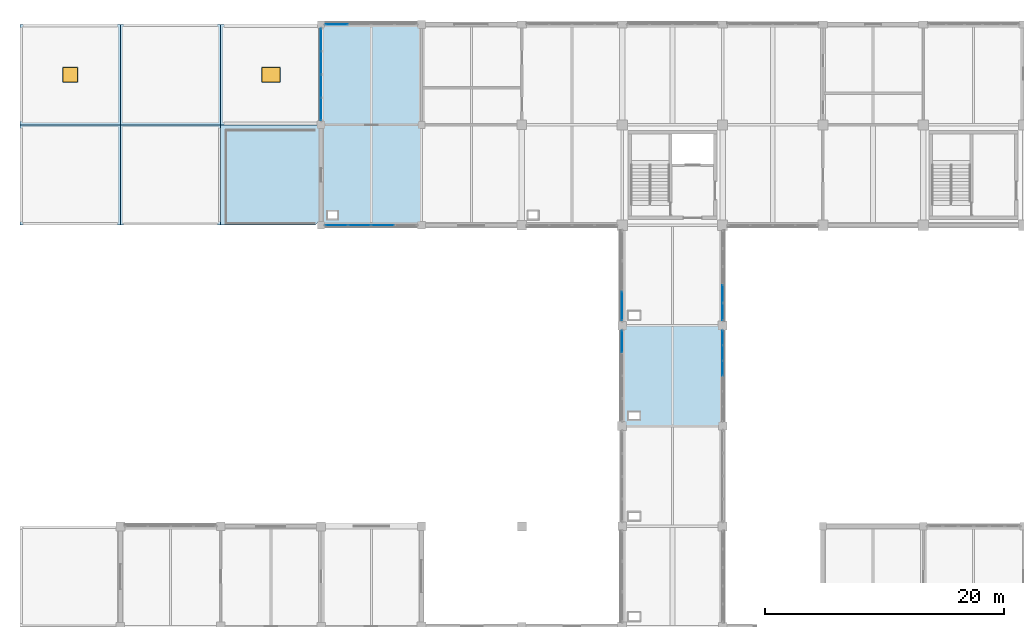
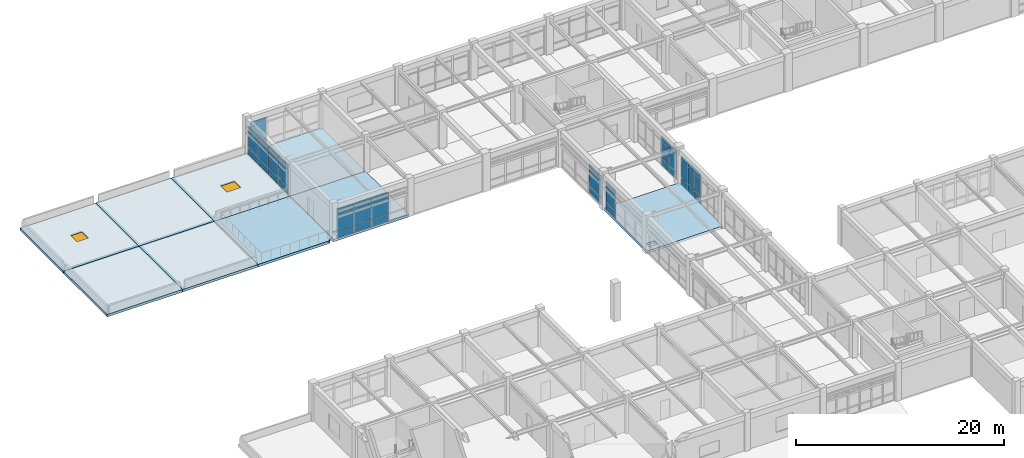
# One storey, part 47 of 78: 45 plates, 9 slabs, 2 windows, 2 openings, 7 elements without a shape of their own.
"""IFC4 building model written with IfcOpenShell, lengths in metres."""

import ifcopenshell
import ifcopenshell.guid

model = None  # the IFC model being written
_history = None  # IfcOwnerHistory: only IFC2X3 demands one
_inside = {}  # id of a spatial element -> (the spatial element, [elements in it])
_under = {}  # id of a project, library or spatial element -> (it, [spatial elements below it])
_declared = {}  # id of a project -> (the project, [libraries it declares])
_typed = {}  # id of a type object -> (the type object, [elements of that type])
_made_of = {}  # id of a material, layer set ... -> (it, [elements and type objects made of it])


def new_model(schema):
    """Start an empty IFC model of exactly this schema.

    Asked for "IFC4X3", IfcOpenShell would pick the latest addendum, in which some entities
    have other attributes; the version numbers below select the first issue.
    IFC2X3 requires an IfcOwnerHistory on every rooted entity: one is made here for all.
    """
    global model, _history
    if schema == "IFC4X3":
        model = ifcopenshell.file(schema_version=(4, 3, 0, 0))
    else:
        model = ifcopenshell.file(schema=schema)
    _inside.clear()
    _under.clear()
    _declared.clear()
    _typed.clear()
    _made_of.clear()
    _history = None
    if model.schema == "IFC2X3":
        org = make("IfcOrganization", Name="unknown")
        user = make(
            "IfcPersonAndOrganization",
            ThePerson=make("IfcPerson", FamilyName="unknown"),
            TheOrganization=org,
        )
        app = make(
            "IfcApplication",
            ApplicationDeveloper=org,
            Version="unknown",
            ApplicationFullName="unknown",
            ApplicationIdentifier="unknown",
        )
        _history = make(
            "IfcOwnerHistory",
            OwningUser=user,
            OwningApplication=app,
            ChangeAction="ADDED",
            CreationDate=0,
        )
    return model


def make(cls, **values):
    """One entity of the class cls with the attributes given. An attribute that is None is left unset."""
    return model.create_entity(
        cls, **{name: value for name, value in values.items() if value is not None}
    )


def rooted(cls, **values):
    """An entity with a GlobalId (a new one), such as an element, a storey or a relation."""
    return make(cls, GlobalId=ifcopenshell.guid.new(), OwnerHistory=_history, **values)


def si_unit(unit_type, name, prefix=None):
    """IfcSIUnit, for example si_unit("LENGTHUNIT", "METRE", prefix="MILLI")."""
    return make("IfcSIUnit", UnitType=unit_type, Prefix=prefix, Name=name)


def assignment(units):
    """IfcUnitAssignment: the units of a project."""
    return None if units is None else make("IfcUnitAssignment", Units=units)


def point(xyz):
    """IfcCartesianPoint."""
    return None if xyz is None else make("IfcCartesianPoint", Coordinates=xyz)


def direction(xyz):
    """IfcDirection."""
    return None if xyz is None else make("IfcDirection", DirectionRatios=xyz)


def frame(location, z_axis=None, x_axis=None):
    """IfcAxis2Placement3D, a coordinate frame: its origin and axes. An axis left out is left unset."""
    return make(
        "IfcAxis2Placement3D",
        Location=point(location),
        Axis=direction(z_axis),
        RefDirection=direction(x_axis),
    )


def frame_2d(location, x_axis=None):
    """IfcAxis2Placement2D, a coordinate frame in the plane: its origin and x axis."""
    return make(
        "IfcAxis2Placement2D", Location=point(location), RefDirection=direction(x_axis)
    )


def origin():
    """The frame at (0, 0, 0) with its axes left unset."""
    return frame((0.0, 0.0, 0.0))


def origin_2d():
    """The frame at (0, 0) in the plane with its x axis left unset."""
    return frame_2d((0.0, 0.0))


def place(relative_to, where):
    """IfcLocalPlacement: puts the frame where relative to a parent placement (None: the world)."""
    return make(
        "IfcLocalPlacement", PlacementRelTo=relative_to, RelativePlacement=where
    )


def context(
    kind, dimensions, precision=None, world=None, true_north=None, identifier=None
):
    """IfcGeometricRepresentationContext, for example the 3D "Model" context."""
    return make(
        "IfcGeometricRepresentationContext",
        ContextIdentifier=identifier,
        ContextType=kind,
        CoordinateSpaceDimension=dimensions,
        Precision=precision,
        WorldCoordinateSystem=world,
        TrueNorth=true_north,
    )


def subcontext(parent, identifier, kind, view, scale=None):
    """IfcGeometricRepresentationSubContext, for example "Body" below "Model"."""
    return make(
        "IfcGeometricRepresentationSubContext",
        ContextIdentifier=identifier,
        ContextType=kind,
        ParentContext=parent,
        TargetScale=scale,
        TargetView=view,
    )


def project(units=None, contexts=None):
    """IfcProject with its units and contexts."""
    return rooted(
        "IfcProject",
        Name="project",
        RepresentationContexts=contexts,
        UnitsInContext=assignment(units),
    )


def spatial(cls, under=None, at=None, **own):
    """A site, building, storey or space (cls), placed at a placement, below another one or the project."""
    s = rooted(cls, ObjectPlacement=at, **own)
    if under is not None:
        _under.setdefault(under.id(), (under, []))[1].append(s)
    return s


def polyline(points):
    """IfcPolyline through the points."""
    return make("IfcPolyline", Points=[point(p) for p in points])


def profile(cls, at=None, kind="AREA", **sizes):
    """A parametric profile (cls). Its sizes go by their IFC names, for example OverallWidth=200.0."""
    return make(cls, ProfileType=kind, Position=at, **sizes)


def rectangle(**sizes):
    """IfcRectangleProfileDef."""
    return profile("IfcRectangleProfileDef", **sizes)


def outline(outer, holes=None, kind="AREA"):
    """IfcArbitraryClosedProfileDef: a profile drawn as a closed curve; with holes, ...WithVoids."""
    if holes is None:
        return make("IfcArbitraryClosedProfileDef", ProfileType=kind, OuterCurve=outer)
    return make(
        "IfcArbitraryProfileDefWithVoids",
        ProfileType=kind,
        OuterCurve=outer,
        InnerCurves=holes,
    )


def extrude(swept, where, along, depth):
    """IfcExtrudedAreaSolid: the profile swept, set in the frame where, extruded along a direction by depth."""
    return make(
        "IfcExtrudedAreaSolid",
        SweptArea=swept,
        Position=where,
        ExtrudedDirection=direction(along),
        Depth=depth,
    )


def shape(context_of_items, identifier, shape_type, items):
    """IfcShapeRepresentation: the items that make up one representation, for example the "Body"."""
    return make(
        "IfcShapeRepresentation",
        ContextOfItems=context_of_items,
        RepresentationIdentifier=identifier,
        RepresentationType=shape_type,
        Items=items,
    )


def material(Name=None, Category=None):
    """IfcMaterial."""
    return make("IfcMaterial", Name=Name, Category=Category)


def layer(
    of_material, thickness, ventilated=None, Name=None, Category=None, Priority=None
):
    """IfcMaterialLayer: one layer of a wall or slab, of a material (None: an air gap)."""
    return make(
        "IfcMaterialLayer",
        Material=of_material,
        LayerThickness=thickness,
        IsVentilated=ventilated,
        Name=Name,
        Category=Category,
        Priority=Priority,
    )


def layer_set(layers, Name=None):
    """IfcMaterialLayerSet."""
    return make("IfcMaterialLayerSet", MaterialLayers=layers, LayerSetName=Name)


def made_of(thing, what):
    """Note that an element or type object is made of a material, layer set ...; save() writes the relation."""
    if what is not None:
        _made_of.setdefault(what.id(), (what, []))[1].append(thing)
    return thing


def type_object(cls, material=None, **own):
    """A type object (cls), such as IfcWallType, which elements share."""
    return made_of(rooted(cls, **own), material)


def element(
    cls,
    number,
    at=None,
    inside=None,
    cuts=None,
    type_object=None,
    material=None,
    context=None,
    identifier="Body",
    shape_type=None,
    held_by="IfcProductDefinitionShape",
    body=None,
    shapes=None,
    **own,
):
    """One element of the class cls, such as IfcWall. Its Tag is "e" and its number.

    at: its placement. inside: the storey or other place that contains it. cuts: it is an
    opening in that element (IfcRelVoidsElement). A single representation is given by context,
    identifier, shape_type and body (its items); several are given by shapes. held_by: the class
    of the entity that holds the representations. save() writes the other relations.
    """
    e = rooted(cls, Tag="e%d" % number, ObjectPlacement=at, **own)
    if body is not None:
        shapes = [shape(context, identifier, shape_type, body)]
    if shapes is not None:
        e.Representation = make(held_by, Representations=shapes)
    if inside is not None:
        _inside.setdefault(inside.id(), (inside, []))[1].append(e)
    if cuts is not None:
        rooted(
            "IfcRelVoidsElement", RelatingBuildingElement=cuts, RelatedOpeningElement=e
        )
    if type_object is not None:
        _typed.setdefault(type_object.id(), (type_object, []))[1].append(e)
    return made_of(e, material)


def fill(opening, filler):
    """IfcRelFillsElement: the door or window that sits in an opening."""
    return rooted(
        "IfcRelFillsElement",
        RelatingOpeningElement=opening,
        RelatedBuildingElement=filler,
    )


def aggregate(whole, parts):
    """IfcRelAggregates: a whole, such as a stair, and the parts it consists of."""
    return rooted("IfcRelAggregates", RelatingObject=whole, RelatedObjects=parts)


def save(model, path):
    """Write the relations noted so far, then the file.

    IfcRelAggregates (storeys below a building ...), IfcRelContainedInSpatialStructure (elements
    in a storey), IfcRelDefinesByType, IfcRelAssociatesMaterial and IfcRelDeclares: one each for
    every whole, place, type object, material and project.
    """
    for whole, parts in _under.values():
        aggregate(whole, parts)
    for where, things in _inside.values():
        rooted(
            "IfcRelContainedInSpatialStructure",
            RelatedElements=things,
            RelatingStructure=where,
        )
    for kind, things in _typed.values():
        rooted("IfcRelDefinesByType", RelatedObjects=things, RelatingType=kind)
    for what, things in _made_of.values():
        rooted("IfcRelAssociatesMaterial", RelatedObjects=things, RelatingMaterial=what)
    for by, libraries in _declared.values():
        rooted("IfcRelDeclares", RelatingContext=by, RelatedDefinitions=libraries)
    model.write(path)


model = new_model("IFC4")

# Units and contexts
model_context = context("Model", 3, precision=1e-05, world=origin(), true_north=direction((0.0, 1.0)))
body_context = subcontext(model_context, "Body", "Model", "MODEL_VIEW")
ifc_project = project(units=[si_unit("LENGTHUNIT", "METRE"), si_unit("AREAUNIT", "SQUARE_METRE"), si_unit("VOLUMEUNIT", "CUBIC_METRE"), si_unit("PLANEANGLEUNIT", "RADIAN"), si_unit("MASSUNIT", "GRAM", prefix="KILO")], contexts=[model_context])

# Site, building, storey
site_placement = place(None, origin())
site = spatial("IfcSite", under=ifc_project, at=site_placement, CompositionType="ELEMENT")
building_placement = place(site_placement, origin())
building = spatial("IfcBuilding", under=site, at=building_placement, Name="Porcellanite Civic Hall", CompositionType="ELEMENT")
storey_placement = place(building_placement, frame((0.0, 0.0, 10.260009765625)))
storey = spatial("IfcBuildingStorey", under=building, at=storey_placement, Name="L02", CompositionType="ELEMENT", Elevation=10.260009765625)

# Curtain wall, plates
ifc_material_1 = material(Name="Anodised aluminium and solar laminated glass", Category="aluminium")
ifc_layer_1 = layer(ifc_material_1, 0.179931640625)
ifc_layer_set_1 = layer_set([ifc_layer_1], Name="Anodised aluminium and solar laminated glass")
curtain_wall_type_1 = type_object("IfcCurtainWallType", Name="CW-SYS05", PredefinedType="NOTDEFINED", material=ifc_layer_set_1)
curtain_wall_1_placement = place(storey_placement, origin())
curtain_wall_1 = element("IfcCurtainWall", 1, at=curtain_wall_1_placement, inside=storey, type_object=curtain_wall_type_1, Name="Curtain wall CW-136", PredefinedType="NOTDEFINED")
ifc_material_2 = material(Name="Cyclone laminated solar-control low-E glass", Category="glass")
ifc_layer_2 = layer(ifc_material_2, 0.028076171875)
ifc_layer_set_2 = layer_set([ifc_layer_2], Name="Cyclone laminated solar-control low-E glass")
plate_type_1 = type_object("IfcPlateType", Name="CWP-03", PredefinedType="CURTAIN_PANEL", material=ifc_layer_set_2)
plate_1_placement = place(storey_placement, frame((30.359130859375, 100.800048828125, 0.06005859375), z_axis=(0.0, 0.0, 1.0), x_axis=(-1.0, 0.0, 0.0)))
plate_1 = element("IfcPlate", 2, at=plate_1_placement, type_object=plate_type_1, Name="CW-136 panel 2.1", PredefinedType="CURTAIN_PANEL", context=body_context, shape_type="SweptSolid", body=[
    extrude(rectangle(XDim=1.873291015625, YDim=0.028076171875, at=origin_2d()), origin(), (0.0, 0.0, 1.0), 0.81005859375),
])
plate_2_placement = place(storey_placement, frame((30.359130859375, 100.800048828125, 0.93017578125), z_axis=(0.0, 0.0, 1.0), x_axis=(-1.0, 0.0, 0.0)))
plate_2 = element("IfcPlate", 3, at=plate_2_placement, type_object=plate_type_1, Name="CW-136 panel 2.2", PredefinedType="CURTAIN_PANEL", context=body_context, shape_type="SweptSolid", body=[
    extrude(rectangle(XDim=1.873291015625, YDim=0.028076171875, at=origin_2d()), origin(), (0.0, 0.0, 1.0), 1.929931640625),
])
plate_3_placement = place(storey_placement, frame((30.359130859375, 100.800048828125, 2.919921875), z_axis=(0.0, 0.0, 1.0), x_axis=(-1.0, 0.0, 0.0)))
plate_3 = element("IfcPlate", 4, at=plate_3_placement, type_object=plate_type_1, Name="CW-136 panel 2.3", PredefinedType="CURTAIN_PANEL", context=body_context, shape_type="SweptSolid", body=[
    extrude(rectangle(XDim=1.873291015625, YDim=0.028076171875, at=origin_2d()), origin(), (0.0, 0.0, 1.0), 0.56005859375),
])
plate_4_placement = place(storey_placement, frame((28.415771484375, 100.800048828125, 0.06005859375), z_axis=(0.0, 0.0, 1.0), x_axis=(-1.0, 0.0, 0.0)))
plate_4 = element("IfcPlate", 5, at=plate_4_placement, type_object=plate_type_1, Name="CW-136 panel 3.1", PredefinedType="CURTAIN_PANEL", context=body_context, shape_type="SweptSolid", body=[
    extrude(rectangle(XDim=1.873291015625, YDim=0.028076171875, at=origin_2d()), origin(), (0.0, 0.0, 1.0), 0.81005859375),
])
plate_5_placement = place(storey_placement, frame((28.415771484375, 100.800048828125, 0.93017578125), z_axis=(0.0, 0.0, 1.0), x_axis=(-1.0, 0.0, 0.0)))
plate_5 = element("IfcPlate", 6, at=plate_5_placement, type_object=plate_type_1, Name="CW-136 panel 3.2", PredefinedType="CURTAIN_PANEL", context=body_context, shape_type="SweptSolid", body=[
    extrude(rectangle(XDim=1.873291015625, YDim=0.028076171875, at=origin_2d()), origin(), (0.0, 0.0, 1.0), 1.929931640625),
])
plate_6_placement = place(storey_placement, frame((28.415771484375, 100.800048828125, 2.919921875), z_axis=(0.0, 0.0, 1.0), x_axis=(-1.0, 0.0, 0.0)))
plate_6 = element("IfcPlate", 7, at=plate_6_placement, type_object=plate_type_1, Name="CW-136 panel 3.3", PredefinedType="CURTAIN_PANEL", context=body_context, shape_type="SweptSolid", body=[
    extrude(rectangle(XDim=1.873291015625, YDim=0.028076171875, at=origin_2d()), origin(), (0.0, 0.0, 1.0), 0.56005859375),
])
plate_7_placement = place(storey_placement, frame((26.490234375, 100.800048828125, 0.06005859375), z_axis=(0.0, 0.0, 1.0), x_axis=(-1.0, 0.0, 0.0)))
plate_7 = element("IfcPlate", 8, at=plate_7_placement, type_object=plate_type_1, Name="CW-136 panel 4.1", PredefinedType="CURTAIN_PANEL", context=body_context, shape_type="SweptSolid", body=[
    extrude(rectangle(XDim=1.838134765625, YDim=0.028076171875, at=origin_2d()), origin(), (0.0, 0.0, 1.0), 0.81005859375),
])
plate_8_placement = place(storey_placement, frame((26.490234375, 100.800048828125, 0.93017578125), z_axis=(0.0, 0.0, 1.0), x_axis=(-1.0, 0.0, 0.0)))
plate_8 = element("IfcPlate", 9, at=plate_8_placement, type_object=plate_type_1, Name="CW-136 panel 4.2", PredefinedType="CURTAIN_PANEL", context=body_context, shape_type="SweptSolid", body=[
    extrude(rectangle(XDim=1.838134765625, YDim=0.028076171875, at=origin_2d()), origin(), (0.0, 0.0, 1.0), 1.929931640625),
])
plate_9_placement = place(storey_placement, frame((26.490234375, 100.800048828125, 2.919921875), z_axis=(0.0, 0.0, 1.0), x_axis=(-1.0, 0.0, 0.0)))
plate_9 = element("IfcPlate", 10, at=plate_9_placement, type_object=plate_type_1, Name="CW-136 panel 4.3", PredefinedType="CURTAIN_PANEL", context=body_context, shape_type="SweptSolid", body=[
    extrude(rectangle(XDim=1.838134765625, YDim=0.028076171875, at=origin_2d()), origin(), (0.0, 0.0, 1.0), 0.56005859375),
])
aggregate(curtain_wall_1, [plate_1, plate_2, plate_3, plate_4, plate_5, plate_6, plate_7, plate_8, plate_9])

curtain_wall_2_placement = place(storey_placement, origin())
curtain_wall_2 = element("IfcCurtainWall", 11, at=curtain_wall_2_placement, inside=storey, type_object=curtain_wall_type_1, Name="Curtain wall CW-137", PredefinedType="NOTDEFINED")
plate_10_placement = place(storey_placement, frame((25.199951171875, 110.51513671875, 0.06005859375), z_axis=(0.0, 0.0, 1.0), x_axis=(0.0, 1.0, 0.0)))
plate_10 = element("IfcPlate", 12, at=plate_10_placement, type_object=plate_type_1, Name="CW-137 panel 1.1", PredefinedType="CURTAIN_PANEL", context=body_context, shape_type="SweptSolid", body=[
    extrude(rectangle(XDim=1.838134765625, YDim=0.028076171875, at=origin_2d()), origin(), (0.0, 0.0, 1.0), 0.81005859375),
])
plate_11_placement = place(storey_placement, frame((25.199951171875, 110.51513671875, 0.93017578125), z_axis=(0.0, 0.0, 1.0), x_axis=(0.0, 1.0, 0.0)))
plate_11 = element("IfcPlate", 13, at=plate_11_placement, type_object=plate_type_1, Name="CW-137 panel 1.2", PredefinedType="CURTAIN_PANEL", context=body_context, shape_type="SweptSolid", body=[
    extrude(rectangle(XDim=1.838134765625, YDim=0.028076171875, at=origin_2d()), origin(), (0.0, 0.0, 1.0), 1.929931640625),
])
plate_12_placement = place(storey_placement, frame((25.199951171875, 110.51513671875, 2.919921875), z_axis=(0.0, 0.0, 1.0), x_axis=(0.0, 1.0, 0.0)))
plate_12 = element("IfcPlate", 14, at=plate_12_placement, type_object=plate_type_1, Name="CW-137 panel 1.3", PredefinedType="CURTAIN_PANEL", context=body_context, shape_type="SweptSolid", body=[
    extrude(rectangle(XDim=1.838134765625, YDim=0.028076171875, at=origin_2d()), origin(), (0.0, 0.0, 1.0), 0.56005859375),
])
plate_13_placement = place(storey_placement, frame((25.199951171875, 112.44091796875, 0.06005859375), z_axis=(0.0, 0.0, 1.0), x_axis=(0.0, 1.0, 0.0)))
plate_13 = element("IfcPlate", 15, at=plate_13_placement, type_object=plate_type_1, Name="CW-137 panel 2.1", PredefinedType="CURTAIN_PANEL", context=body_context, shape_type="SweptSolid", body=[
    extrude(rectangle(XDim=1.873291015625, YDim=0.028076171875, at=origin_2d()), origin(), (0.0, 0.0, 1.0), 0.81005859375),
])
plate_14_placement = place(storey_placement, frame((25.199951171875, 112.44091796875, 0.93017578125), z_axis=(0.0, 0.0, 1.0), x_axis=(0.0, 1.0, 0.0)))
plate_14 = element("IfcPlate", 16, at=plate_14_placement, type_object=plate_type_1, Name="CW-137 panel 2.2", PredefinedType="CURTAIN_PANEL", context=body_context, shape_type="SweptSolid", body=[
    extrude(rectangle(XDim=1.873291015625, YDim=0.028076171875, at=origin_2d()), origin(), (0.0, 0.0, 1.0), 1.929931640625),
])
plate_15_placement = place(storey_placement, frame((25.199951171875, 112.44091796875, 2.919921875), z_axis=(0.0, 0.0, 1.0), x_axis=(0.0, 1.0, 0.0)))
plate_15 = element("IfcPlate", 17, at=plate_15_placement, type_object=plate_type_1, Name="CW-137 panel 2.3", PredefinedType="CURTAIN_PANEL", context=body_context, shape_type="SweptSolid", body=[
    extrude(rectangle(XDim=1.873291015625, YDim=0.028076171875, at=origin_2d()), origin(), (0.0, 0.0, 1.0), 0.56005859375),
])
plate_16_placement = place(storey_placement, frame((25.199951171875, 114.384033203125, 0.06005859375), z_axis=(0.0, 0.0, 1.0), x_axis=(0.0, 1.0, 0.0)))
plate_16 = element("IfcPlate", 18, at=plate_16_placement, type_object=plate_type_1, Name="CW-137 panel 3.1", PredefinedType="CURTAIN_PANEL", context=body_context, shape_type="SweptSolid", body=[
    extrude(rectangle(XDim=1.873291015625, YDim=0.028076171875, at=origin_2d()), origin(), (0.0, 0.0, 1.0), 0.81005859375),
])
plate_17_placement = place(storey_placement, frame((25.199951171875, 114.384033203125, 0.93017578125), z_axis=(0.0, 0.0, 1.0), x_axis=(0.0, 1.0, 0.0)))
plate_17 = element("IfcPlate", 19, at=plate_17_placement, type_object=plate_type_1, Name="CW-137 panel 3.2", PredefinedType="CURTAIN_PANEL", context=body_context, shape_type="SweptSolid", body=[
    extrude(rectangle(XDim=1.873291015625, YDim=0.028076171875, at=origin_2d()), origin(), (0.0, 0.0, 1.0), 1.929931640625),
])
plate_18_placement = place(storey_placement, frame((25.199951171875, 114.384033203125, 2.919921875), z_axis=(0.0, 0.0, 1.0), x_axis=(0.0, 1.0, 0.0)))
plate_18 = element("IfcPlate", 20, at=plate_18_placement, type_object=plate_type_1, Name="CW-137 panel 3.3", PredefinedType="CURTAIN_PANEL", context=body_context, shape_type="SweptSolid", body=[
    extrude(rectangle(XDim=1.873291015625, YDim=0.028076171875, at=origin_2d()), origin(), (0.0, 0.0, 1.0), 0.56005859375),
])
plate_19_placement = place(storey_placement, frame((25.199951171875, 116.309814453125, 0.06005859375), z_axis=(0.0, 0.0, 1.0), x_axis=(0.0, 1.0, 0.0)))
plate_19 = element("IfcPlate", 21, at=plate_19_placement, type_object=plate_type_1, Name="CW-137 panel 4.1", PredefinedType="CURTAIN_PANEL", context=body_context, shape_type="SweptSolid", body=[
    extrude(rectangle(XDim=1.838134765625, YDim=0.028076171875, at=origin_2d()), origin(), (0.0, 0.0, 1.0), 0.81005859375),
])
plate_20_placement = place(storey_placement, frame((25.199951171875, 116.309814453125, 0.93017578125), z_axis=(0.0, 0.0, 1.0), x_axis=(0.0, 1.0, 0.0)))
plate_20 = element("IfcPlate", 22, at=plate_20_placement, type_object=plate_type_1, Name="CW-137 panel 4.2", PredefinedType="CURTAIN_PANEL", context=body_context, shape_type="SweptSolid", body=[
    extrude(rectangle(XDim=1.838134765625, YDim=0.028076171875, at=origin_2d()), origin(), (0.0, 0.0, 1.0), 1.929931640625),
])
plate_21_placement = place(storey_placement, frame((25.199951171875, 116.309814453125, 2.919921875), z_axis=(0.0, 0.0, 1.0), x_axis=(0.0, 1.0, 0.0)))
plate_21 = element("IfcPlate", 23, at=plate_21_placement, type_object=plate_type_1, Name="CW-137 panel 4.3", PredefinedType="CURTAIN_PANEL", context=body_context, shape_type="SweptSolid", body=[
    extrude(rectangle(XDim=1.838134765625, YDim=0.028076171875, at=origin_2d()), origin(), (0.0, 0.0, 1.0), 0.56005859375),
])
aggregate(curtain_wall_2, [plate_10, plate_11, plate_12, plate_13, plate_14, plate_15, plate_16, plate_17, plate_18, plate_19, plate_20, plate_21])

curtain_wall_3_placement = place(storey_placement, origin())
curtain_wall_3 = element("IfcCurtainWall", 24, at=curtain_wall_3_placement, inside=storey, type_object=curtain_wall_type_1, Name="Curtain wall CW-138", PredefinedType="NOTDEFINED")
plate_22_placement = place(storey_placement, frame((26.490234375, 117.60009765625, 0.06005859375), z_axis=(0.0, 0.0, 1.0), x_axis=(1.0, 0.0, 0.0)))
plate_22 = element("IfcPlate", 25, at=plate_22_placement, type_object=plate_type_1, Name="CW-138 panel 1.1", PredefinedType="CURTAIN_PANEL", context=body_context, shape_type="SweptSolid", body=[
    extrude(rectangle(XDim=1.838134765625, YDim=0.028076171875, at=origin_2d()), origin(), (0.0, 0.0, 1.0), 0.81005859375),
])
plate_23_placement = place(storey_placement, frame((26.490234375, 117.60009765625, 0.93017578125), z_axis=(0.0, 0.0, 1.0), x_axis=(1.0, 0.0, 0.0)))
plate_23 = element("IfcPlate", 26, at=plate_23_placement, type_object=plate_type_1, Name="CW-138 panel 1.2", PredefinedType="CURTAIN_PANEL", context=body_context, shape_type="SweptSolid", body=[
    extrude(rectangle(XDim=1.838134765625, YDim=0.028076171875, at=origin_2d()), origin(), (0.0, 0.0, 1.0), 1.929931640625),
])
plate_24_placement = place(storey_placement, frame((26.490234375, 117.60009765625, 2.919921875), z_axis=(0.0, 0.0, 1.0), x_axis=(1.0, 0.0, 0.0)))
plate_24 = element("IfcPlate", 27, at=plate_24_placement, type_object=plate_type_1, Name="CW-138 panel 1.3", PredefinedType="CURTAIN_PANEL", context=body_context, shape_type="SweptSolid", body=[
    extrude(rectangle(XDim=1.838134765625, YDim=0.028076171875, at=origin_2d()), origin(), (0.0, 0.0, 1.0), 0.56005859375),
])
aggregate(curtain_wall_3, [plate_22, plate_23, plate_24])

ifc_material_3 = material(Name="Anodised aluminium and solar laminated glass", Category="aluminium")
ifc_layer_3 = layer(ifc_material_3, 0.179931640625)
ifc_layer_set_3 = layer_set([ifc_layer_3], Name="Anodised aluminium and solar laminated glass")
curtain_wall_type_2 = type_object("IfcCurtainWallType", Name="CW-SYS06", PredefinedType="NOTDEFINED", material=ifc_layer_set_3)
curtain_wall_4_placement = place(storey_placement, origin())
curtain_wall_4 = element("IfcCurtainWall", 28, at=curtain_wall_4_placement, inside=storey, type_object=curtain_wall_type_2, Name="Curtain wall CW-146", PredefinedType="NOTDEFINED")
ifc_material_4 = material(Name="Cyclone laminated solar-control low-E glass", Category="glass")
ifc_layer_4 = layer(ifc_material_4, 0.035888671875)
ifc_layer_set_4 = layer_set([ifc_layer_4], Name="Cyclone laminated solar-control low-E glass")
plate_type_2 = type_object("IfcPlateType", Name="CWP-07", PredefinedType="CURTAIN_PANEL", material=ifc_layer_set_4)
plate_25_placement = place(storey_placement, frame((50.39990234375, 91.07373046875, 0.0498046875), z_axis=(0.0, 0.0, 1.0), x_axis=(0.0, 1.0, 0.0)))
plate_25 = element("IfcPlate", 29, at=plate_25_placement, type_object=plate_type_2, Name="CW-146 panel 4.1", PredefinedType="CURTAIN_PANEL", context=body_context, shape_type="SweptSolid", body=[
    extrude(rectangle(XDim=1.82080078125, YDim=0.035888671875, at=origin_2d()), origin(), (0.0, 0.0, 1.0), 0.824951171875),
])
plate_26_placement = place(storey_placement, frame((50.39990234375, 91.07373046875, 0.925048828125), z_axis=(0.0, 0.0, 1.0), x_axis=(0.0, 1.0, 0.0)))
plate_26 = element("IfcPlate", 30, at=plate_26_placement, type_object=plate_type_2, Name="CW-146 panel 4.2", PredefinedType="CURTAIN_PANEL", context=body_context, shape_type="SweptSolid", body=[
    extrude(rectangle(XDim=1.82080078125, YDim=0.035888671875, at=origin_2d()), origin(), (0.0, 0.0, 1.0), 1.93994140625),
])
plate_27_placement = place(storey_placement, frame((50.39990234375, 91.07373046875, 2.9150390625), z_axis=(0.0, 0.0, 1.0), x_axis=(0.0, 1.0, 0.0)))
plate_27 = element("IfcPlate", 31, at=plate_27_placement, type_object=plate_type_2, Name="CW-146 panel 4.3", PredefinedType="CURTAIN_PANEL", context=body_context, shape_type="SweptSolid", body=[
    extrude(rectangle(XDim=1.82080078125, YDim=0.035888671875, at=origin_2d()), origin(), (0.0, 0.0, 1.0), 0.574951171875),
])
aggregate(curtain_wall_4, [plate_25, plate_26, plate_27])

ifc_material_5 = material(Name="Anodised aluminium and solar laminated glass", Category="aluminium")
ifc_layer_5 = layer(ifc_material_5, 0.179931640625)
ifc_layer_set_5 = layer_set([ifc_layer_5], Name="Anodised aluminium and solar laminated glass")
curtain_wall_type_3 = type_object("IfcCurtainWallType", Name="CW-SYS07", PredefinedType="NOTDEFINED", material=ifc_layer_set_5)
curtain_wall_5_placement = place(storey_placement, origin())
curtain_wall_5 = element("IfcCurtainWall", 32, at=curtain_wall_5_placement, inside=storey, type_object=curtain_wall_type_3, Name="Curtain wall CW-147", PredefinedType="NOTDEFINED")
ifc_material_6 = material(Name="Insulated ochre aluminium spandrel panel", Category="aluminium")
ifc_layer_6 = layer(ifc_material_6, 0.0380859375)
ifc_layer_set_6 = layer_set([ifc_layer_6], Name="Insulated ochre aluminium spandrel panel")
plate_type_3 = type_object("IfcPlateType", Name="CWP-08", PredefinedType="CURTAIN_PANEL", material=ifc_layer_set_6)
plate_28_placement = place(storey_placement, frame((58.800048828125, 91.36962890625, 0.0498046875), z_axis=(0.0, 0.0, 1.0), x_axis=(0.0, -1.0, 0.0)))
plate_28 = element("IfcPlate", 33, at=plate_28_placement, type_object=plate_type_3, Name="CW-147 panel 1.1", PredefinedType="CURTAIN_PANEL", context=body_context, shape_type="SweptSolid", body=[
    extrude(rectangle(XDim=1.188720703125, YDim=0.0380859375, at=origin_2d()), origin(), (0.0, 0.0, 1.0), 0.824951171875),
])
plate_29_placement = place(storey_placement, frame((58.800048828125, 91.36962890625, 0.925048828125), z_axis=(0.0, 0.0, 1.0), x_axis=(0.0, -1.0, 0.0)))
plate_29 = element("IfcPlate", 34, at=plate_29_placement, type_object=plate_type_3, Name="CW-147 panel 1.2", PredefinedType="CURTAIN_PANEL", context=body_context, shape_type="SweptSolid", body=[
    extrude(rectangle(XDim=1.188720703125, YDim=0.0380859375, at=origin_2d()), origin(), (0.0, 0.0, 1.0), 1.93994140625),
])
plate_30_placement = place(storey_placement, frame((58.800048828125, 91.36962890625, 2.9150390625), z_axis=(0.0, 0.0, 1.0), x_axis=(0.0, -1.0, 0.0)))
plate_30 = element("IfcPlate", 35, at=plate_30_placement, type_object=plate_type_3, Name="CW-147 panel 1.3", PredefinedType="CURTAIN_PANEL", context=body_context, shape_type="SweptSolid", body=[
    extrude(rectangle(XDim=1.188720703125, YDim=0.0380859375, at=origin_2d()), origin(), (0.0, 0.0, 1.0), 0.574951171875),
])
plate_31_placement = place(storey_placement, frame((58.800048828125, 90.105712890625, 0.0498046875), z_axis=(0.0, 0.0, 1.0), x_axis=(0.0, -1.0, 0.0)))
plate_31 = element("IfcPlate", 36, at=plate_31_placement, type_object=plate_type_3, Name="CW-147 panel 2.1", PredefinedType="CURTAIN_PANEL", context=body_context, shape_type="SweptSolid", body=[
    extrude(rectangle(XDim=1.21875, YDim=0.0380859375, at=origin_2d()), origin(), (0.0, 0.0, 1.0), 0.824951171875),
])
plate_32_placement = place(storey_placement, frame((58.800048828125, 90.105712890625, 0.925048828125), z_axis=(0.0, 0.0, 1.0), x_axis=(0.0, -1.0, 0.0)))
plate_32 = element("IfcPlate", 37, at=plate_32_placement, type_object=plate_type_3, Name="CW-147 panel 2.2", PredefinedType="CURTAIN_PANEL", context=body_context, shape_type="SweptSolid", body=[
    extrude(rectangle(XDim=1.21875, YDim=0.0380859375, at=origin_2d()), origin(), (0.0, 0.0, 1.0), 1.93994140625),
])
plate_33_placement = place(storey_placement, frame((58.800048828125, 90.105712890625, 2.9150390625), z_axis=(0.0, 0.0, 1.0), x_axis=(0.0, -1.0, 0.0)))
plate_33 = element("IfcPlate", 38, at=plate_33_placement, type_object=plate_type_3, Name="CW-147 panel 2.3", PredefinedType="CURTAIN_PANEL", context=body_context, shape_type="SweptSolid", body=[
    extrude(rectangle(XDim=1.21875, YDim=0.0380859375, at=origin_2d()), origin(), (0.0, 0.0, 1.0), 0.574951171875),
])
plate_34_placement = place(storey_placement, frame((58.800048828125, 88.826904296875, 0.0498046875), z_axis=(0.0, 0.0, 1.0), x_axis=(0.0, -1.0, 0.0)))
plate_34 = element("IfcPlate", 39, at=plate_34_placement, type_object=plate_type_3, Name="CW-147 panel 3.1", PredefinedType="CURTAIN_PANEL", context=body_context, shape_type="SweptSolid", body=[
    extrude(rectangle(XDim=1.21875, YDim=0.0380859375, at=origin_2d()), origin(), (0.0, 0.0, 1.0), 0.824951171875),
])
plate_35_placement = place(storey_placement, frame((58.800048828125, 88.826904296875, 0.925048828125), z_axis=(0.0, 0.0, 1.0), x_axis=(0.0, -1.0, 0.0)))
plate_35 = element("IfcPlate", 40, at=plate_35_placement, type_object=plate_type_3, Name="CW-147 panel 3.2", PredefinedType="CURTAIN_PANEL", context=body_context, shape_type="SweptSolid", body=[
    extrude(rectangle(XDim=1.21875, YDim=0.0380859375, at=origin_2d()), origin(), (0.0, 0.0, 1.0), 1.93994140625),
])
plate_36_placement = place(storey_placement, frame((58.800048828125, 88.826904296875, 2.9150390625), z_axis=(0.0, 0.0, 1.0), x_axis=(0.0, -1.0, 0.0)))
plate_36 = element("IfcPlate", 41, at=plate_36_placement, type_object=plate_type_3, Name="CW-147 panel 3.3", PredefinedType="CURTAIN_PANEL", context=body_context, shape_type="SweptSolid", body=[
    extrude(rectangle(XDim=1.21875, YDim=0.0380859375, at=origin_2d()), origin(), (0.0, 0.0, 1.0), 0.574951171875),
])
aggregate(curtain_wall_5, [plate_28, plate_29, plate_30, plate_31, plate_32, plate_33, plate_34, plate_35, plate_36])

ifc_material_7 = material(Name="Anodised aluminium and solar laminated glass", Category="aluminium")
ifc_layer_7 = layer(ifc_material_7, 0.179931640625)
ifc_layer_set_7 = layer_set([ifc_layer_7], Name="Anodised aluminium and solar laminated glass")
curtain_wall_type_4 = type_object("IfcCurtainWallType", Name="CW-SYS08", PredefinedType="NOTDEFINED", material=ifc_layer_set_7)
curtain_wall_6_placement = place(storey_placement, origin())
curtain_wall_6 = element("IfcCurtainWall", 42, at=curtain_wall_6_placement, inside=storey, type_object=curtain_wall_type_4, Name="Curtain wall CW-148", PredefinedType="NOTDEFINED")
ifc_material_8 = material(Name="Insulated ochre aluminium spandrel panel", Category="aluminium")
ifc_layer_8 = layer(ifc_material_8, 0.0419921875)
ifc_layer_set_8 = layer_set([ifc_layer_8], Name="Insulated ochre aluminium spandrel panel")
plate_type_4 = type_object("IfcPlateType", Name="CWP-09", PredefinedType="CURTAIN_PANEL", material=ifc_layer_set_8)
plate_37_placement = place(storey_placement, frame((50.39990234375, 94.04150390625, 0.070068359375), z_axis=(0.0, 0.0, 1.0), x_axis=(0.0, 1.0, 0.0)))
plate_37 = element("IfcPlate", 43, at=plate_37_placement, type_object=plate_type_4, Name="CW-148 panel 1.1", PredefinedType="CURTAIN_PANEL", context=body_context, shape_type="SweptSolid", body=[
    extrude(rectangle(XDim=2.4208984375, YDim=0.0419921875, at=origin_2d()), origin(), (0.0, 0.0, 1.0), 0.794921875),
])
plate_38_placement = place(storey_placement, frame((50.39990234375, 94.04150390625, 0.93505859375), z_axis=(0.0, 0.0, 1.0), x_axis=(0.0, 1.0, 0.0)))
plate_38 = element("IfcPlate", 44, at=plate_38_placement, type_object=plate_type_4, Name="CW-148 panel 1.2", PredefinedType="CURTAIN_PANEL", context=body_context, shape_type="SweptSolid", body=[
    extrude(rectangle(XDim=2.4208984375, YDim=0.0419921875, at=origin_2d()), origin(), (0.0, 0.0, 1.0), 1.919921875),
])
plate_39_placement = place(storey_placement, frame((50.39990234375, 94.04150390625, 2.925048828125), z_axis=(0.0, 0.0, 1.0), x_axis=(0.0, 1.0, 0.0)))
plate_39 = element("IfcPlate", 45, at=plate_39_placement, type_object=plate_type_4, Name="CW-148 panel 1.3", PredefinedType="CURTAIN_PANEL", context=body_context, shape_type="SweptSolid", body=[
    extrude(rectangle(XDim=2.4208984375, YDim=0.0419921875, at=origin_2d()), origin(), (0.0, 0.0, 1.0), 0.544921875),
])
aggregate(curtain_wall_6, [plate_37, plate_38, plate_39])

ifc_material_9 = material(Name="Anodised aluminium and solar laminated glass", Category="aluminium")
ifc_layer_9 = layer(ifc_material_9, 0.179931640625)
ifc_layer_set_9 = layer_set([ifc_layer_9], Name="Anodised aluminium and solar laminated glass")
curtain_wall_type_5 = type_object("IfcCurtainWallType", Name="CW-SYS01", PredefinedType="NOTDEFINED", material=ifc_layer_set_9)
curtain_wall_7_placement = place(storey_placement, origin())
curtain_wall_7 = element("IfcCurtainWall", 46, at=curtain_wall_7_placement, inside=storey, type_object=curtain_wall_type_5, Name="Curtain wall CW-149", PredefinedType="NOTDEFINED")
ifc_material_10 = material(Name="Insulated ochre aluminium spandrel panel", Category="aluminium")
ifc_layer_10 = layer(ifc_material_10, 0.0458984375)
ifc_layer_set_10 = layer_set([ifc_layer_10], Name="Insulated ochre aluminium spandrel panel")
plate_type_5 = type_object("IfcPlateType", Name="CWP-10", PredefinedType="CURTAIN_PANEL", material=ifc_layer_set_10)
plate_40_placement = place(storey_placement, frame((58.800048828125, 95.055419921875, 0.06005859375), z_axis=(0.0, 0.0, 1.0), x_axis=(0.0, -1.0, 0.0)))
plate_40 = element("IfcPlate", 47, at=plate_40_placement, type_object=plate_type_5, Name="CW-149 panel 4.1", PredefinedType="CURTAIN_PANEL", context=body_context, shape_type="SweptSolid", body=[
    extrude(rectangle(XDim=1.44970703125, YDim=0.0458984375, at=origin_2d()), origin(), (0.0, 0.0, 1.0), 0.81005859375),
])
plate_41_placement = place(storey_placement, frame((58.800048828125, 95.055419921875, 0.93017578125), z_axis=(0.0, 0.0, 1.0), x_axis=(0.0, -1.0, 0.0)))
plate_41 = element("IfcPlate", 48, at=plate_41_placement, type_object=plate_type_5, Name="CW-149 panel 4.2", PredefinedType="CURTAIN_PANEL", context=body_context, shape_type="SweptSolid", body=[
    extrude(rectangle(XDim=1.44970703125, YDim=0.0458984375, at=origin_2d()), origin(), (0.0, 0.0, 1.0), 1.929931640625),
])
plate_42_placement = place(storey_placement, frame((58.800048828125, 95.055419921875, 2.919921875), z_axis=(0.0, 0.0, 1.0), x_axis=(0.0, -1.0, 0.0)))
plate_42 = element("IfcPlate", 49, at=plate_42_placement, type_object=plate_type_5, Name="CW-149 panel 4.3", PredefinedType="CURTAIN_PANEL", context=body_context, shape_type="SweptSolid", body=[
    extrude(rectangle(XDim=1.44970703125, YDim=0.0458984375, at=origin_2d()), origin(), (0.0, 0.0, 1.0), 0.56005859375),
])
plate_43_placement = place(storey_placement, frame((58.800048828125, 93.55322265625, 0.06005859375), z_axis=(0.0, 0.0, 1.0), x_axis=(0.0, -1.0, 0.0)))
plate_43 = element("IfcPlate", 50, at=plate_43_placement, type_object=plate_type_5, Name="CW-149 panel 5.1", PredefinedType="CURTAIN_PANEL", context=body_context, shape_type="SweptSolid", body=[
    extrude(rectangle(XDim=1.41455078125, YDim=0.0458984375, at=origin_2d()), origin(), (0.0, 0.0, 1.0), 0.81005859375),
])
plate_44_placement = place(storey_placement, frame((58.800048828125, 93.55322265625, 0.93017578125), z_axis=(0.0, 0.0, 1.0), x_axis=(0.0, -1.0, 0.0)))
plate_44 = element("IfcPlate", 51, at=plate_44_placement, type_object=plate_type_5, Name="CW-149 panel 5.2", PredefinedType="CURTAIN_PANEL", context=body_context, shape_type="SweptSolid", body=[
    extrude(rectangle(XDim=1.41455078125, YDim=0.0458984375, at=origin_2d()), origin(), (0.0, 0.0, 1.0), 1.929931640625),
])
plate_45_placement = place(storey_placement, frame((58.800048828125, 93.55322265625, 2.919921875), z_axis=(0.0, 0.0, 1.0), x_axis=(0.0, -1.0, 0.0)))
plate_45 = element("IfcPlate", 52, at=plate_45_placement, type_object=plate_type_5, Name="CW-149 panel 5.3", PredefinedType="CURTAIN_PANEL", context=body_context, shape_type="SweptSolid", body=[
    extrude(rectangle(XDim=1.41455078125, YDim=0.0458984375, at=origin_2d()), origin(), (0.0, 0.0, 1.0), 0.56005859375),
])
aggregate(curtain_wall_7, [plate_40, plate_41, plate_42, plate_43, plate_44, plate_45])

# Slabs
ifc_material_11 = material(Name="Concrete N40 (40 MPa)", Category="concrete")
ifc_layer_11 = layer(ifc_material_11, 0.280029296875)
ifc_layer_set_11 = layer_set([ifc_layer_11], Name="Concrete N40 (40 MPa)")
slab_type_1 = type_object("IfcSlabType", Name="SL-FL280", PredefinedType="FLOOR", material=ifc_layer_set_11)
slab_1_placement = place(storey_placement, frame((0.0, 0.0, -0.280029296875)))
element("IfcSlab", 53, at=slab_1_placement, inside=storey, type_object=slab_type_1, Name="Slab L02 bay 4-13", PredefinedType="FLOOR", context=body_context, shape_type="SweptSolid", body=[
    extrude(outline(polyline([(25.199951171875, 100.800048828125), (33.60009765625, 100.800048828125), (33.60009765625, 109.199951171875), (25.199951171875, 109.199951171875), (25.199951171875, 100.800048828125)]), holes=[polyline([(25.75, 101.35009765625), (26.550048828125, 101.35009765625), (26.550048828125, 101.949951171875), (25.75, 101.949951171875), (25.75, 101.35009765625)])]), origin(), (0.0, 0.0, 1.0), 0.280029296875),
])
slab_2_placement = place(storey_placement, frame((0.0, 0.0, -0.280029296875)))
element("IfcSlab", 54, at=slab_2_placement, inside=storey, type_object=slab_type_1, Name="Slab L02 bay 4-14", PredefinedType="FLOOR", context=body_context, shape_type="SweptSolid", body=[
    extrude(outline(polyline([(25.199951171875, 109.199951171875), (33.60009765625, 109.199951171875), (33.60009765625, 117.60009765625), (25.199951171875, 117.60009765625), (25.199951171875, 109.199951171875)])), origin(), (0.0, 0.0, 1.0), 0.280029296875),
])
slab_3_placement = place(storey_placement, frame((0.0, 0.0, -0.280029296875)))
element("IfcSlab", 55, at=slab_3_placement, inside=storey, type_object=slab_type_1, Name="Slab L02 bay 7-11", PredefinedType="FLOOR", context=body_context, shape_type="SweptSolid", body=[
    extrude(outline(polyline([(50.39990234375, 84.0), (58.800048828125, 84.0), (58.800048828125, 92.39990234375), (50.39990234375, 92.39990234375), (50.39990234375, 84.0)]), holes=[polyline([(50.949951171875, 84.550048828125), (51.85009765625, 84.550048828125), (51.85009765625, 85.14990234375), (50.949951171875, 85.14990234375), (50.949951171875, 84.550048828125)])]), origin(), (0.0, 0.0, 1.0), 0.280029296875),
])
ifc_material_12 = material(Name="Concrete N40 (40 MPa)", Category="concrete")
ifc_layer_12 = layer(ifc_material_12, 0.300048828125)
ifc_layer_set_12 = layer_set([ifc_layer_12], Name="Concrete N40 (40 MPa)")
slab_type_2 = type_object("IfcSlabType", Name="SL-RF300", PredefinedType="ROOF", material=ifc_layer_set_12)
slab_4_placement = place(storey_placement, frame((0.0, 0.0, -0.300048828125)))
element("IfcSlab", 56, at=slab_4_placement, inside=storey, type_object=slab_type_2, Name="Roof slab L02 1-13", PredefinedType="ROOF", context=body_context, shape_type="SweptSolid", body=[
    extrude(outline(polyline([(0.0, 100.800048828125), (8.39990234375, 100.800048828125), (8.39990234375, 109.199951171875), (0.0, 109.199951171875), (0.0, 100.800048828125)])), origin(), (0.0, 0.0, 1.0), 0.300048828125),
])

# Slab, opening, window
slab_5_placement = place(storey_placement, frame((0.0, 0.0, -0.300048828125)))
slab_5 = element("IfcSlab", 57, at=slab_5_placement, inside=storey, type_object=slab_type_2, Name="Roof slab L02 1-14", PredefinedType="ROOF", context=body_context, shape_type="SweptSolid", body=[
    extrude(outline(polyline([(0.0, 109.199951171875), (8.39990234375, 109.199951171875), (8.39990234375, 117.60009765625), (0.0, 117.60009765625), (0.0, 109.199951171875)])), origin(), (0.0, 0.0, 1.0), 0.300048828125),
])
opening_1_placement = place(slab_5_placement, frame((4.199951171875, 113.39990234375, 0.0)))
opening_1 = element("IfcOpeningElement", 58, at=opening_1_placement, cuts=slab_5, Name="Opening SK1", PredefinedType="OPENING", context=body_context, shape_type="SweptSolid", body=[
    extrude(rectangle(XDim=1.199951171875, YDim=1.199951171875, at=origin_2d()), origin(), (0.0, 0.0, 1.0), 0.300048828125),
])
ifc_material_13 = material(Name="Cyclone laminated low-E glazing in anodised aluminium frame", Category="aluminium")
window_type_1 = type_object("IfcWindowType", Name="SK-01", PartitioningType="SINGLE_PANEL", PredefinedType="SKYLIGHT", material=ifc_material_13)
window_1_placement = place(opening_1_placement, frame((0.0, 0.0, 0.25)))
window_1 = element("IfcWindow", 59, at=window_1_placement, inside=storey, type_object=window_type_1, Name="Roof skylight SK1 L02 1-14", OverallHeight=1.199951171875, OverallWidth=1.199951171875, PartitioningType="SINGLE_PANEL", PredefinedType="SKYLIGHT", context=body_context, shape_type="SweptSolid", body=[
    extrude(rectangle(XDim=1.199951171875, YDim=1.199951171875, at=origin_2d()), origin(), (0.0, 0.0, 1.0), 0.050048828125),
])
fill(opening_1, window_1)

# Slabs
slab_6_placement = place(storey_placement, frame((0.0, 0.0, -0.300048828125)))
element("IfcSlab", 60, at=slab_6_placement, inside=storey, type_object=slab_type_2, Name="Roof slab L02 2-13", PredefinedType="ROOF", context=body_context, shape_type="SweptSolid", body=[
    extrude(outline(polyline([(8.39990234375, 100.800048828125), (16.800048828125, 100.800048828125), (16.800048828125, 109.199951171875), (8.39990234375, 109.199951171875), (8.39990234375, 100.800048828125)])), origin(), (0.0, 0.0, 1.0), 0.300048828125),
])
slab_7_placement = place(storey_placement, frame((0.0, 0.0, -0.300048828125)))
element("IfcSlab", 61, at=slab_7_placement, inside=storey, type_object=slab_type_2, Name="Roof slab L02 2-14", PredefinedType="ROOF", context=body_context, shape_type="SweptSolid", body=[
    extrude(outline(polyline([(8.39990234375, 109.199951171875), (16.800048828125, 109.199951171875), (16.800048828125, 117.60009765625), (8.39990234375, 117.60009765625), (8.39990234375, 109.199951171875)])), origin(), (0.0, 0.0, 1.0), 0.300048828125),
])

# Slab, opening, window
slab_8_placement = place(storey_placement, frame((0.0, 0.0, -0.300048828125)))
slab_8 = element("IfcSlab", 62, at=slab_8_placement, inside=storey, type_object=slab_type_2, Name="Roof slab L02 3-14", PredefinedType="ROOF", context=body_context, shape_type="SweptSolid", body=[
    extrude(outline(polyline([(16.800048828125, 109.199951171875), (25.199951171875, 109.199951171875), (25.199951171875, 117.60009765625), (16.800048828125, 117.60009765625), (16.800048828125, 109.199951171875)])), origin(), (0.0, 0.0, 1.0), 0.300048828125),
])
opening_2_placement = place(slab_8_placement, frame((21.0, 113.39990234375, 0.0)))
opening_2 = element("IfcOpeningElement", 63, at=opening_2_placement, cuts=slab_8, Name="Opening SK2", PredefinedType="OPENING", context=body_context, shape_type="SweptSolid", body=[
    extrude(rectangle(XDim=1.5, YDim=1.199951171875, at=origin_2d()), origin(), (0.0, 0.0, 1.0), 0.300048828125),
])
ifc_material_14 = material(Name="Cyclone laminated low-E glazing in anodised aluminium frame", Category="aluminium")
window_type_2 = type_object("IfcWindowType", Name="SK-02", PartitioningType="SINGLE_PANEL", PredefinedType="SKYLIGHT", material=ifc_material_14)
window_2_placement = place(opening_2_placement, frame((0.0, 0.0, 0.25)))
window_2 = element("IfcWindow", 64, at=window_2_placement, inside=storey, type_object=window_type_2, Name="Roof skylight SK2 L02 3-14", OverallHeight=1.199951171875, OverallWidth=1.5, PartitioningType="SINGLE_PANEL", PredefinedType="SKYLIGHT", context=body_context, shape_type="SweptSolid", body=[
    extrude(rectangle(XDim=1.5, YDim=1.199951171875, at=origin_2d()), origin(), (0.0, 0.0, 1.0), 0.050048828125),
])
fill(opening_2, window_2)

# Slab
ifc_material_15 = material(Name="Concrete N40 (40 MPa)", Category="concrete")
ifc_layer_13 = layer(ifc_material_15, 0.300048828125)
ifc_layer_set_13 = layer_set([ifc_layer_13], Name="Concrete N40 (40 MPa)")
slab_type_3 = type_object("IfcSlabType", Name="SL-TER300", PredefinedType="FLOOR", material=ifc_layer_set_13)
slab_9_placement = place(storey_placement, frame((0.0, 0.0, -0.300048828125)))
element("IfcSlab", 65, at=slab_9_placement, inside=storey, type_object=slab_type_3, Name="Civic terrace slab L02 3-13", PredefinedType="FLOOR", context=body_context, shape_type="SweptSolid", body=[
    extrude(outline(polyline([(16.800048828125, 100.800048828125), (24.699951171875, 100.800048828125), (25.199951171875, 101.300048828125), (25.199951171875, 109.199951171875), (16.800048828125, 109.199951171875), (16.800048828125, 100.800048828125)])), origin(), (0.0, 0.0, 1.0), 0.300048828125),
])

save(model, "model.ifc")
